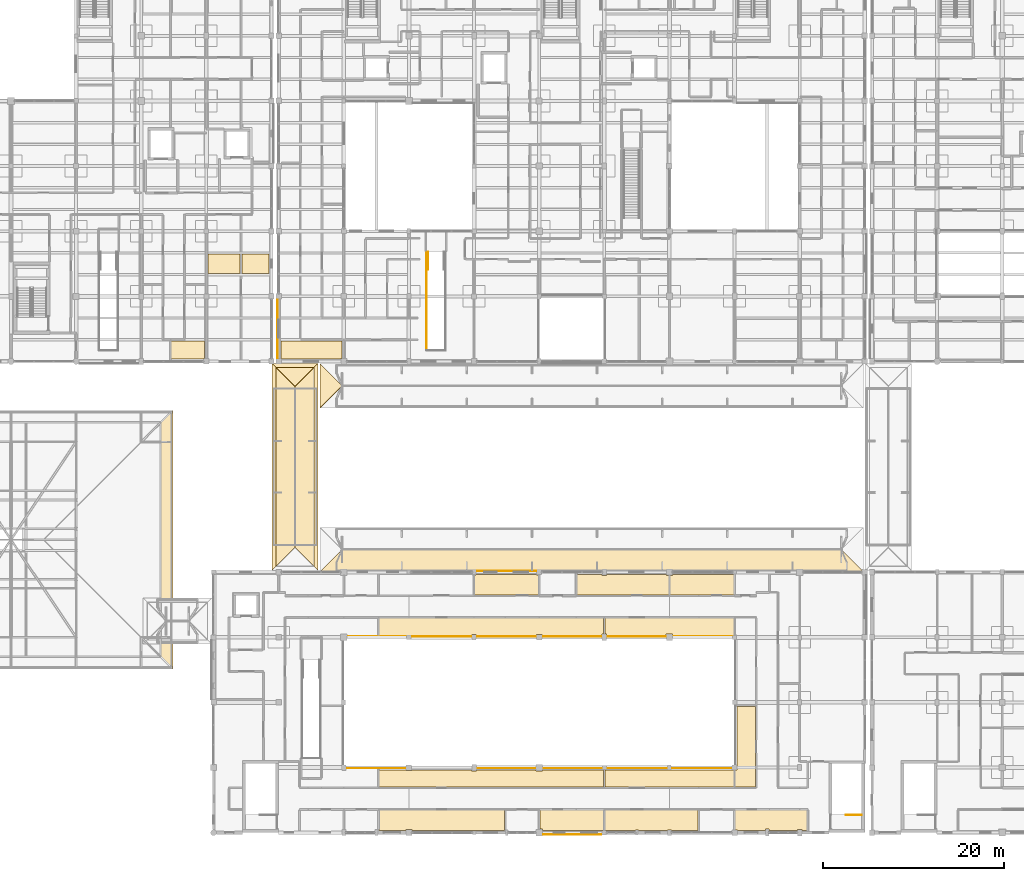
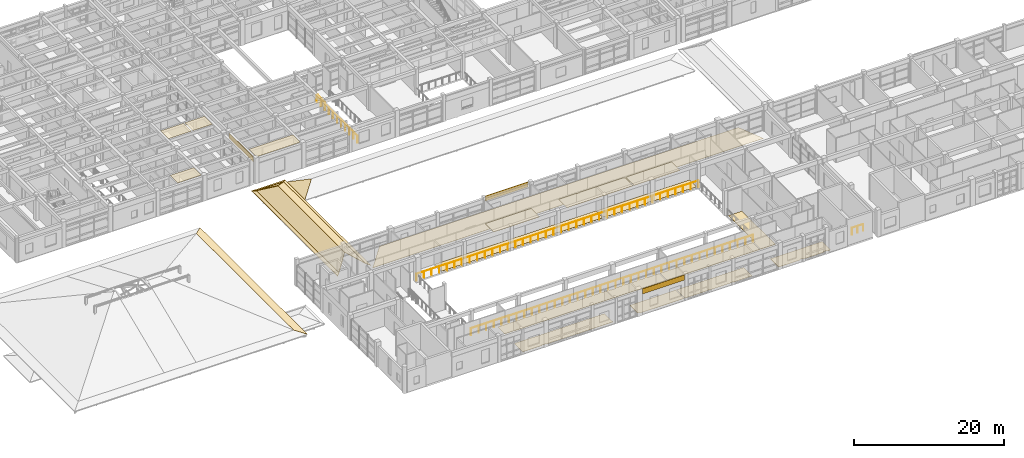
# One storey, part 101 of 110: 28 coverings, 5 railings.
"""IFC4 building model written with IfcOpenShell, lengths in metres."""

from ifc_helpers import new_model, si_unit, direction, frame, origin, origin_2d, place, context, subcontext, project, spatial, polyline, rectangle, circle, outline, extrude, material, layer, layer_set, type_object, element, save


model = new_model("IFC4")

# Units and contexts
model_context = context("Model", 3, precision=1e-05, world=origin(), true_north=direction((0.0, 1.0)))
body_context = subcontext(model_context, "Body", "Model", "MODEL_VIEW")
ifc_project = project(units=[si_unit("LENGTHUNIT", "METRE"), si_unit("AREAUNIT", "SQUARE_METRE"), si_unit("VOLUMEUNIT", "CUBIC_METRE"), si_unit("PLANEANGLEUNIT", "RADIAN"), si_unit("MASSUNIT", "GRAM", prefix="KILO")], contexts=[model_context])

# Site, building, storey
site_placement = place(None, origin())
site = spatial("IfcSite", under=ifc_project, at=site_placement, CompositionType="ELEMENT")
building_placement = place(site_placement, origin())
building = spatial("IfcBuilding", under=site, at=building_placement, Name="Steenspoor Specialist Clinic", CompositionType="ELEMENT")
storey_placement = place(building_placement, frame((0.0, 0.0, 4.800048828125)))
storey = spatial("IfcBuildingStorey", under=building, at=storey_placement, Name="L01", CompositionType="ELEMENT", Elevation=4.800048828125)

# Coverings
ifc_material_1 = material(Name="Washable acoustic mineral ceiling board", Category="gypsum")
ifc_layer_1 = layer(ifc_material_1, 0.02490234375)
ifc_layer_set_1 = layer_set([ifc_layer_1], Name="Washable acoustic mineral ceiling board")
covering_type_1 = type_object("IfcCoveringType", Name="COV-CEIL-ACOUSTIC", PredefinedType="CEILING", material=ifc_layer_set_1)
covering_1_placement = place(storey_placement, frame((0.0, 0.0, 3.925048828125)))
element("IfcCovering", 1, at=covering_1_placement, inside=storey, type_object=covering_type_1, Name="Acoustic Clinical Ceiling 097", PredefinedType="CEILING", context=body_context, shape_type="SweptSolid", body=[
    extrude(outline(polyline([(52.715087890625, 65.409912109375), (52.715087890625, 65.465087890625), (52.659912109375, 65.465087890625), (52.659912109375, 67.409912109375), (59.405029296875, 67.409912109375), (59.405029296875, 65.489990234375), (59.260009765625, 65.489990234375), (59.260009765625, 65.409912109375), (52.715087890625, 65.409912109375)])), origin(), (0.0, 0.0, 1.0), 0.02490234375),
])
covering_2_placement = place(storey_placement, frame((0.0, 0.0, 3.925048828125)))
element("IfcCovering", 2, at=covering_2_placement, inside=storey, type_object=covering_type_1, Name="Acoustic Clinical Ceiling 110", PredefinedType="CEILING", context=body_context, shape_type="SweptSolid", body=[
    extrude(outline(polyline([(40.514892578125, 67.39990234375), (44.179931640625, 67.39990234375), (44.179931640625, 65.465087890625), (44.0849609375, 65.465087890625), (44.0849609375, 65.409912109375), (40.514892578125, 65.409912109375), (40.514892578125, 67.39990234375)])), origin(), (0.0, 0.0, 1.0), 0.02490234375),
])
covering_3_placement = place(storey_placement, frame((0.0, 0.0, 3.925048828125)))
element("IfcCovering", 3, at=covering_3_placement, inside=storey, type_object=covering_type_1, Name="Acoustic Clinical Ceiling 111", PredefinedType="CEILING", context=body_context, shape_type="SweptSolid", body=[
    extrude(outline(polyline([(48.135009765625, 74.89990234375), (44.594970703125, 74.89990234375), (44.594970703125, 77.010009765625), (48.135009765625, 77.010009765625), (48.135009765625, 74.89990234375)])), origin(), (0.0, 0.0, 1.0), 0.02490234375),
])
covering_4_placement = place(storey_placement, frame((0.0, 0.0, 3.925048828125)))
element("IfcCovering", 4, at=covering_4_placement, inside=storey, type_object=covering_type_1, Name="Acoustic Clinical Ceiling 112", PredefinedType="CEILING", context=body_context, shape_type="SweptSolid", body=[
    extrude(outline(polyline([(51.340087890625, 74.89990234375), (48.3349609375, 74.89990234375), (48.3349609375, 77.010009765625), (51.340087890625, 77.010009765625), (51.340087890625, 74.89990234375)])), origin(), (0.0, 0.0, 1.0), 0.02490234375),
])
ifc_material_2 = material(Name="Glazed ceramic relief spandrel cladding", Category="masonry")
ifc_layer_2 = layer(ifc_material_2, 0.034912109375)
ifc_layer_set_2 = layer_set([ifc_layer_2], Name="Glazed ceramic relief spandrel cladding")
covering_type_2 = type_object("IfcCoveringType", Name="COV-CLAD-CERAMIC", PredefinedType="CLADDING", material=ifc_layer_set_2)
covering_5_placement = place(storey_placement, frame((84.862548828125, 12.85009765625, 3.36474609375), z_axis=(0.0, 0.0, 1.0), x_axis=(-1.0, 0.0, 0.0)))
element("IfcCovering", 5, at=covering_5_placement, inside=storey, type_object=covering_type_2, Name="Spandrel Cladding 6", PredefinedType="CLADDING", context=body_context, shape_type="SweptSolid", body=[
    extrude(rectangle(XDim=6.455078125, YDim=0.0400390625, at=origin_2d()), origin(), (0.0, 0.0, 1.0), 0.840087890625),
])
covering_6_placement = place(storey_placement, frame((77.5625, 41.989990234375, 3.36474609375), z_axis=(0.0, 0.0, 1.0), x_axis=(1.0, 0.0, 0.0)))
element("IfcCovering", 6, at=covering_6_placement, inside=storey, type_object=covering_type_2, Name="Spandrel Cladding 8", PredefinedType="CLADDING", context=body_context, shape_type="SweptSolid", body=[
    extrude(rectangle(XDim=6.60498046875, YDim=0.0400390625, at=origin_2d()), origin(), (0.0, 0.0, 1.0), 0.840087890625),
])
covering_7_placement = place(storey_placement, frame((52.260009765625, 68.75, 3.11474609375), z_axis=(0.0, 0.0, 1.0), x_axis=(0.0, 1.0, 0.0)))
element("IfcCovering", 7, at=covering_7_placement, inside=storey, type_object=covering_type_2, Name="Spandrel Cladding 32", PredefinedType="CLADDING", context=body_context, shape_type="SweptSolid", body=[
    extrude(rectangle(XDim=6.47998046875, YDim=0.0400390625, at=origin_2d()), origin(), (0.0, 0.0, 1.0), 0.840087890625),
])
ifc_material_3 = material(Name="Seamless clinical vinyl and terrazzo flooring", Category="plastic")
ifc_layer_3 = layer(ifc_material_3, 0.02001953125)
ifc_layer_set_3 = layer_set([ifc_layer_3], Name="Seamless clinical vinyl and terrazzo flooring")
covering_type_3 = type_object("IfcCoveringType", Name="COV-FLOOR-VINYL", PredefinedType="FLOORING", material=ifc_layer_set_3)
covering_8_placement = place(storey_placement, origin())
element("IfcCovering", 8, at=covering_8_placement, inside=storey, type_object=covering_type_3, Name="Clinical Vinyl Flooring 135", PredefinedType="FLOORING", context=body_context, shape_type="SweptSolid", body=[
    extrude(outline(polyline([(77.385009765625, 13.31005859375), (67.139892578125, 13.31005859375), (67.139892578125, 13.389892578125), (66.4599609375, 13.389892578125), (66.4599609375, 13.31005859375), (63.514892578125, 13.31005859375), (63.514892578125, 15.544921875), (77.385009765625, 15.544921875), (77.385009765625, 13.31005859375)])), origin(), (0.0, 0.0, 1.0), 0.02001953125),
])
covering_9_placement = place(storey_placement, origin())
element("IfcCovering", 9, at=covering_9_placement, inside=storey, type_object=covering_type_3, Name="Clinical Vinyl Flooring 136", PredefinedType="FLOORING", context=body_context, shape_type="SweptSolid", body=[
    extrude(outline(polyline([(88.3349609375, 15.544921875), (88.3349609375, 13.31494140625), (88.135009765625, 13.31494140625), (88.135009765625, 13.31005859375), (81.590087890625, 13.31005859375), (81.590087890625, 13.43994140625), (81.264892578125, 13.43994140625), (81.264892578125, 15.544921875), (88.3349609375, 15.544921875)])), origin(), (0.0, 0.0, 1.0), 0.02001953125),
])
covering_10_placement = place(storey_placement, origin())
element("IfcCovering", 10, at=covering_10_placement, inside=storey, type_object=covering_type_3, Name="Clinical Vinyl Flooring 137", PredefinedType="FLOORING", context=body_context, shape_type="SweptSolid", body=[
    extrude(outline(polyline([(98.784912109375, 15.544921875), (98.784912109375, 13.31005859375), (95.840087890625, 13.31005859375), (95.840087890625, 13.364990234375), (95.360107421875, 13.364990234375), (95.360107421875, 13.31005859375), (92.155029296875, 13.31005859375), (92.155029296875, 13.344970703125), (91.844970703125, 13.344970703125), (91.844970703125, 13.31005859375), (88.6650390625, 13.31005859375), (88.6650390625, 13.31494140625), (88.465087890625, 13.31494140625), (88.465087890625, 15.544921875), (98.784912109375, 15.544921875)])), origin(), (0.0, 0.0, 1.0), 0.02001953125),
])
covering_11_placement = place(storey_placement, origin())
element("IfcCovering", 11, at=covering_11_placement, inside=storey, type_object=covering_type_3, Name="Clinical Vinyl Flooring 138", PredefinedType="FLOORING", context=body_context, shape_type="SweptSolid", body=[
    extrude(outline(polyline([(110.8349609375, 13.31005859375), (110.264892578125, 13.31005859375), (110.264892578125, 13.4150390625), (109.735107421875, 13.4150390625), (109.735107421875, 13.31005859375), (106.60498046875, 13.31005859375), (106.60498046875, 13.445068359375), (106.195068359375, 13.445068359375), (106.195068359375, 13.31005859375), (103.114990234375, 13.31005859375), (103.114990234375, 13.364990234375), (102.864990234375, 13.364990234375), (102.864990234375, 15.544921875), (110.8349609375, 15.544921875), (110.8349609375, 13.31005859375)])), origin(), (0.0, 0.0, 1.0), 0.02001953125),
])
covering_12_placement = place(storey_placement, origin())
element("IfcCovering", 12, at=covering_12_placement, inside=storey, type_object=covering_type_3, Name="Clinical Vinyl Flooring 139", PredefinedType="FLOORING", context=body_context, shape_type="SweptSolid", body=[
    extrude(outline(polyline([(63.514892578125, 18.074951171875), (63.514892578125, 19.985107421875), (66.485107421875, 19.985107421875), (66.485107421875, 19.93505859375), (67.114990234375, 19.93505859375), (67.114990234375, 19.985107421875), (73.735107421875, 19.985107421875), (73.735107421875, 19.885009765625), (74.264892578125, 19.885009765625), (74.264892578125, 19.985107421875), (80.8349609375, 19.985107421875), (80.8349609375, 19.885009765625), (81.56494140625, 19.885009765625), (81.56494140625, 19.985107421875), (88.3349609375, 19.985107421875), (88.3349609375, 18.074951171875), (63.514892578125, 18.074951171875)])), origin(), (0.0, 0.0, 1.0), 0.02001953125),
])
covering_13_placement = place(storey_placement, origin())
element("IfcCovering", 13, at=covering_13_placement, inside=storey, type_object=covering_type_3, Name="Clinical Vinyl Flooring 140", PredefinedType="FLOORING", context=body_context, shape_type="SweptSolid", body=[
    extrude(outline(polyline([(88.465087890625, 18.074951171875), (88.465087890625, 19.985107421875), (95.385009765625, 19.985107421875), (95.385009765625, 19.9599609375), (95.81494140625, 19.9599609375), (95.81494140625, 19.985107421875), (102.510009765625, 19.985107421875), (102.510009765625, 19.9599609375), (102.735107421875, 19.9599609375), (102.735107421875, 18.074951171875), (88.465087890625, 18.074951171875)])), origin(), (0.0, 0.0, 1.0), 0.02001953125),
])
covering_14_placement = place(storey_placement, origin())
element("IfcCovering", 14, at=covering_14_placement, inside=storey, type_object=covering_type_3, Name="Clinical Vinyl Flooring 141", PredefinedType="FLOORING", context=body_context, shape_type="SweptSolid", body=[
    extrude(outline(polyline([(105.135009765625, 27.014892578125), (105.135009765625, 18.074951171875), (102.864990234375, 18.074951171875), (102.864990234375, 19.9599609375), (103.090087890625, 19.9599609375), (103.090087890625, 20.5400390625), (103.06494140625, 20.5400390625), (103.06494140625, 27.014892578125), (105.135009765625, 27.014892578125)])), origin(), (0.0, 0.0, 1.0), 0.02001953125),
])
covering_15_placement = place(storey_placement, origin())
element("IfcCovering", 15, at=covering_15_placement, inside=storey, type_object=covering_type_3, Name="Clinical Vinyl Flooring 146", PredefinedType="FLOORING", context=body_context, shape_type="SweptSolid", body=[
    extrude(outline(polyline([(81.514892578125, 34.9150390625), (81.514892578125, 34.965087890625), (80.885009765625, 34.965087890625), (80.885009765625, 34.9150390625), (74.239990234375, 34.9150390625), (74.239990234375, 34.965087890625), (73.760009765625, 34.965087890625), (73.760009765625, 34.9150390625), (67.06494140625, 34.9150390625), (66.534912109375, 34.9150390625), (63.514892578125, 34.9150390625), (63.514892578125, 36.784912109375), (88.3349609375, 36.784912109375), (88.3349609375, 35.014892578125), (88.135009765625, 35.014892578125), (88.135009765625, 34.9150390625), (81.514892578125, 34.9150390625)])), origin(), (0.0, 0.0, 1.0), 0.02001953125),
])
covering_16_placement = place(storey_placement, origin())
element("IfcCovering", 16, at=covering_16_placement, inside=storey, type_object=covering_type_3, Name="Clinical Vinyl Flooring 147", PredefinedType="FLOORING", context=body_context, shape_type="SweptSolid", body=[
    extrude(outline(polyline([(102.735107421875, 34.9150390625), (95.965087890625, 34.9150390625), (95.965087890625, 35.014892578125), (95.235107421875, 35.014892578125), (95.235107421875, 34.9150390625), (88.6650390625, 34.9150390625), (88.6650390625, 35.014892578125), (88.465087890625, 35.014892578125), (88.465087890625, 36.784912109375), (102.735107421875, 36.784912109375), (102.735107421875, 34.9150390625)])), origin(), (0.0, 0.0, 1.0), 0.02001953125),
])
covering_17_placement = place(storey_placement, origin())
element("IfcCovering", 17, at=covering_17_placement, inside=storey, type_object=covering_type_3, Name="Clinical Vinyl Flooring 150", PredefinedType="FLOORING", context=body_context, shape_type="SweptSolid", body=[
    extrude(outline(polyline([(80.909912109375, 41.590087890625), (80.909912109375, 41.56005859375), (81.135009765625, 41.56005859375), (81.135009765625, 39.31494140625), (74.06494140625, 39.31494140625), (74.06494140625, 41.56005859375), (74.215087890625, 41.56005859375), (74.215087890625, 41.590087890625), (80.909912109375, 41.590087890625)])), origin(), (0.0, 0.0, 1.0), 0.02001953125),
])
covering_18_placement = place(storey_placement, origin())
element("IfcCovering", 18, at=covering_18_placement, inside=storey, type_object=covering_type_3, Name="Clinical Vinyl Flooring 151", PredefinedType="FLOORING", context=body_context, shape_type="SweptSolid", body=[
    extrude(outline(polyline([(88.159912109375, 41.590087890625), (88.159912109375, 41.510009765625), (88.639892578125, 41.510009765625), (88.639892578125, 41.590087890625), (95.260009765625, 41.590087890625), (95.260009765625, 41.510009765625), (95.534912109375, 41.510009765625), (95.534912109375, 39.31494140625), (85.364990234375, 39.31494140625), (85.364990234375, 41.590087890625), (88.159912109375, 41.590087890625)])), origin(), (0.0, 0.0, 1.0), 0.02001953125),
])
covering_19_placement = place(storey_placement, origin())
element("IfcCovering", 19, at=covering_19_placement, inside=storey, type_object=covering_type_3, Name="Clinical Vinyl Flooring 152", PredefinedType="FLOORING", context=body_context, shape_type="SweptSolid", body=[
    extrude(outline(polyline([(102.735107421875, 41.590087890625), (102.735107421875, 39.31494140625), (95.6650390625, 39.31494140625), (95.6650390625, 41.510009765625), (95.93994140625, 41.510009765625), (95.93994140625, 41.590087890625), (102.735107421875, 41.590087890625)])), origin(), (0.0, 0.0, 1.0), 0.02001953125),
])
ifc_material_4 = material(Name="Extruded terracotta clay roof tile", Category="masonry")
ifc_layer_4 = layer(ifc_material_4, 0.044921875)
ifc_layer_set_4 = layer_set([ifc_layer_4], Name="Extruded terracotta clay roof tile")
covering_type_4 = type_object("IfcCoveringType", Name="COV-ROOF-TILE", PredefinedType="ROOFING", material=ifc_layer_set_4)
covering_20_placement = place(storey_placement, frame((40.699951171875, 31.14990234375, 0.0478515625), z_axis=(0.241998799207, 0.0, 0.970276548816), x_axis=(0.0, 1.0, 0.0)))
element("IfcCovering", 20, at=covering_20_placement, inside=storey, type_object=covering_type_4, Name="Clay Tile Roofing V3 SKE", PredefinedType="ROOFING", context=body_context, shape_type="SweptSolid", body=[
    extrude(outline(polyline([(0.0, 0.0), (28.60009765625, 0.0), (27.25, 1.3912049273706915), (1.35009765625, 1.3912049273706915), (0.0, 0.0)])), origin(), (0.0, 0.0, -1.0), 0.044921875),
])
covering_21_placement = place(storey_placement, frame((56.75, 64.949951171875, -0.9521484375), z_axis=(0.0, 0.242164000082, 0.970235330765), x_axis=(-1.0, 0.0, 0.0)))
element("IfcCovering", 21, at=covering_21_placement, inside=storey, type_object=covering_type_4, Name="Clay Tile Roofing WK1 SKN", PredefinedType="ROOFING", context=body_context, shape_type="SweptSolid", body=[
    extrude(outline(polyline([(0.0, 0.0), (5.10009765625, 0.0), (4.64990234375, 0.46375467642511), (0.449951171875, 0.46375467642511), (0.0, 0.0)])), origin(), (0.0, 0.0, -1.0), 0.044921875),
])
covering_22_placement = place(storey_placement, frame((51.64990234375, 64.949951171875, -0.9521484375), z_axis=(-0.242040370173, 0.0, 0.970266179564), x_axis=(0.0, -1.0, 0.0)))
element("IfcCovering", 22, at=covering_22_placement, inside=storey, type_object=covering_type_4, Name="Clay Tile Roofing WK1 SKW", PredefinedType="ROOFING", context=body_context, shape_type="SweptSolid", body=[
    extrude(outline(polyline([(0.0, 0.0), (22.89990234375, 0.0), (22.449951171875, 0.463991554051844), (0.449951171875, 0.463991554051844), (0.0, 0.0)])), origin(), (0.0, 0.0, -1.0), 0.044921875),
])
covering_23_placement = place(storey_placement, frame((56.75, 42.050048828125, -0.9521484375), z_axis=(0.242164000082, 0.0, 0.970235330765), x_axis=(0.0, 1.0, 0.0)))
element("IfcCovering", 23, at=covering_23_placement, inside=storey, type_object=covering_type_4, Name="Clay Tile Roofing WK1 SKE", PredefinedType="ROOFING", context=body_context, shape_type="SweptSolid", body=[
    extrude(outline(polyline([(0.0, 0.0), (22.89990234375, 0.0), (22.449951171875, 0.46375467642511), (0.449951171875, 0.46375467642511), (0.0, 0.0)])), origin(), (0.0, 0.0, -1.0), 0.044921875),
])
covering_24_placement = place(storey_placement, frame((52.10009765625, 64.5, -0.83984375), z_axis=(-0.537338574529, 0.0, 0.843366620351), x_axis=(0.0, -1.0, 0.0)))
element("IfcCovering", 24, at=covering_24_placement, inside=storey, type_object=covering_type_4, Name="Clay Tile Roofing WK1 W", PredefinedType="ROOFING", context=body_context, shape_type="SweptSolid", body=[
    extrude(outline(polyline([(0.0, 0.0), (22.0, 0.0), (19.89990234375, 2.4898466040191236), (2.10009765625, 2.4898466040191236), (0.0, 0.0)])), origin(), (0.0, 0.0, -1.0), 0.044921875),
])
covering_25_placement = place(storey_placement, frame((56.300048828125, 42.5, -0.83984375), z_axis=(0.537294141772, 0.0, 0.84339492838), x_axis=(0.0, 1.0, 0.0)))
element("IfcCovering", 25, at=covering_25_placement, inside=storey, type_object=covering_type_4, Name="Clay Tile Roofing WK1 E", PredefinedType="ROOFING", context=body_context, shape_type="SweptSolid", body=[
    extrude(outline(polyline([(0.0, 0.0), (22.0, 0.0), (19.89990234375, 2.490052507528633), (2.10009765625, 2.490052507528633), (0.0, 0.0)])), origin(), (0.0, 0.0, -1.0), 0.044921875),
])
covering_26_placement = place(storey_placement, frame((56.300048828125, 64.5, -0.83984375), z_axis=(0.0, 0.537294141772, 0.84339492838), x_axis=(-1.0, 0.0, 0.0)))
element("IfcCovering", 26, at=covering_26_placement, inside=storey, type_object=covering_type_4, Name="Clay Tile Roofing WK1 N", PredefinedType="ROOFING", context=body_context, shape_type="SweptSolid", body=[
    extrude(outline(polyline([(0.0, 0.0), (4.199951171875, 0.0), (2.10009765625, 2.490052507528633), (0.0, 0.0)])), origin(), (0.0, 0.0, -1.0), 0.044921875),
])
covering_27_placement = place(storey_placement, frame((56.949951171875, 64.89990234375, -1.35205078125), z_axis=(-0.424884507655, 0.0, 0.905247565672), x_axis=(0.0, -1.0, 0.0)))
element("IfcCovering", 27, at=covering_27_placement, inside=storey, type_object=covering_type_4, Name="Clay Tile Roofing WK4 W", PredefinedType="ROOFING", context=body_context, shape_type="SweptSolid", body=[
    extrude(outline(polyline([(0.0, 0.0), (4.89990234375, 0.0), (2.449951171875, 2.7063880255302326), (0.0, 0.0)])), origin(), (0.0, 0.0, -1.0), 0.044921875),
])
covering_28_placement = place(storey_placement, frame((56.949951171875, 41.89990234375, -1.35205078125), z_axis=(0.0, -0.42484981347, 0.905263848828), x_axis=(1.0, 0.0, 0.0)))
element("IfcCovering", 28, at=covering_28_placement, inside=storey, type_object=covering_type_4, Name="Clay Tile Roofing WK5 S", PredefinedType="ROOFING", context=body_context, shape_type="SweptSolid", body=[
    extrude(outline(polyline([(0.0, 0.0), (60.10009765625, 0.0), (57.650146484375, 2.7066090352244667), (2.449951171875, 2.7066090352244667), (0.0, 0.0)])), origin(), (0.0, 0.0, -1.0), 0.044921875),
])

# Railings
ifc_material_5 = material(Name="Painted architectural steel balustrade", Category="steel")
railing_type = type_object("IfcRailingType", Name="RAIL-GUARD-1100", PredefinedType="GUARDRAIL", material=ifc_material_5)
railing_1_placement = place(storey_placement, frame((116.85009765625, 15.0, 0.0)))
element("IfcRailing", 29, at=railing_1_placement, inside=storey, type_object=railing_type, Name="L01 ST-V1B top well guard 1", PredefinedType="GUARDRAIL", context=body_context, shape_type="SweptSolid", body=[
    extrude(circle(Radius=0.02392578125, at=origin_2d()), frame((0.0, 0.0, 1.076171875), z_axis=(-1.0, 0.0, 0.0), x_axis=(0.0, -1.0, 0.0)), (0.0, 0.0, 1.0), 1.75),
    extrude(circle(Radius=0.02099609375, at=origin_2d()), origin(), (0.0, 0.0, 1.0), 1.052001953125),
    extrude(circle(Radius=0.02099609375, at=origin_2d()), frame((-0.875, 0.0, 0.0)), (0.0, 0.0, 1.0), 1.052001953125),
    extrude(circle(Radius=0.02099609375, at=origin_2d()), frame((-1.75, 0.0, 0.0)), (0.0, 0.0, 1.0), 1.052001953125),
])
railing_2_placement = place(storey_placement, frame((68.7548828125, 77.260009765625, 0.0)))
element("IfcRailing", 30, at=railing_2_placement, inside=storey, type_object=railing_type, Name="ST-F02 Well Guard W", PredefinedType="GUARDRAIL", context=body_context, shape_type="SweptSolid", body=[
    extrude(circle(Radius=0.02392578125, at=origin_2d()), frame((0.0, 0.0, 1.09619140625), z_axis=(0.0, -1.0, 0.0), x_axis=(1.0, 0.0, 0.0)), (0.0, 0.0, 1.0), 10.880126953125),
    extrude(circle(Radius=0.02099609375, at=origin_2d()), origin(), (0.0, 0.0, 1.0), 1.072021484375),
    extrude(circle(Radius=0.02099609375, at=origin_2d()), frame((0.0, -1.087890625, 0.0)), (0.0, 0.0, 1.0), 1.072021484375),
    extrude(circle(Radius=0.02099609375, at=origin_2d()), frame((0.0, -2.176025390625, 0.0)), (0.0, 0.0, 1.0), 1.072021484375),
    extrude(circle(Radius=0.02099609375, at=origin_2d()), frame((0.0, -3.26416015625, 0.0)), (0.0, 0.0, 1.0), 1.072021484375),
    extrude(circle(Radius=0.02099609375, at=origin_2d()), frame((0.0, -4.35205078125, 0.0)), (0.0, 0.0, 1.0), 1.072021484375),
    extrude(circle(Radius=0.02099609375, at=origin_2d()), frame((0.0, -5.43994140625, 0.0)), (0.0, 0.0, 1.0), 1.072021484375),
    extrude(circle(Radius=0.02099609375, at=origin_2d()), frame((0.0, -6.528076171875, 0.0)), (0.0, 0.0, 1.0), 1.072021484375),
    extrude(circle(Radius=0.02099609375, at=origin_2d()), frame((0.0, -7.615966796875, 0.0)), (0.0, 0.0, 1.0), 1.072021484375),
    extrude(circle(Radius=0.02099609375, at=origin_2d()), frame((0.0, -8.7041015625, 0.0)), (0.0, 0.0, 1.0), 1.072021484375),
    extrude(circle(Radius=0.02099609375, at=origin_2d()), frame((0.0, -9.7919921875, 0.0)), (0.0, 0.0, 1.0), 1.072021484375),
    extrude(circle(Radius=0.02099609375, at=origin_2d()), frame((0.0, -10.880126953125, 0.0)), (0.0, 0.0, 1.0), 1.072021484375),
])
railing_3_placement = place(storey_placement, frame((68.9150390625, 75.300048828125, 0.0)))
element("IfcRailing", 31, at=railing_3_placement, inside=storey, type_object=railing_type, Name="ST-F02 Well Guard LW", PredefinedType="GUARDRAIL", context=body_context, shape_type="SweptSolid", body=[
    extrude(circle(Radius=0.02392578125, at=origin_2d()), frame((0.0, 0.0, 1.09619140625), z_axis=(0.0, 1.0, 0.0), x_axis=(-1.0, 0.0, 0.0)), (0.0, 0.0, 1.0), 1.9599609375),
    extrude(circle(Radius=0.02099609375, at=origin_2d()), origin(), (0.0, 0.0, 1.0), 1.072021484375),
    extrude(circle(Radius=0.02099609375, at=origin_2d()), frame((0.0, 0.97998046875, 0.0)), (0.0, 0.0, 1.0), 1.072021484375),
    extrude(circle(Radius=0.02099609375, at=origin_2d()), frame((0.0, 1.9599609375, 0.0)), (0.0, 0.0, 1.0), 1.072021484375),
])
railing_4_placement = place(storey_placement, frame((59.52001953125, 20.169921875, 0.0)))
element("IfcRailing", 32, at=railing_4_placement, inside=storey, type_object=railing_type, Name="Atrium Gallery Guard V1 L01 1", PredefinedType="GUARDRAIL", context=body_context, shape_type="SweptSolid", body=[
    extrude(circle(Radius=0.02392578125, at=origin_2d()), frame((0.0, 0.0, 1.09619140625), z_axis=(1.0, 0.0, 0.0), x_axis=(0.0, 1.0, 0.0)), (0.0, 0.0, 1.0), 43.35986328125),
    extrude(circle(Radius=0.02099609375, at=origin_2d()), origin(), (0.0, 0.0, 1.0), 1.072021484375),
    extrude(circle(Radius=0.02099609375, at=origin_2d()), frame((1.171875, 0.0, 0.0)), (0.0, 0.0, 1.0), 1.072021484375),
    extrude(circle(Radius=0.02099609375, at=origin_2d()), frame((2.34375, 0.0, 0.0)), (0.0, 0.0, 1.0), 1.072021484375),
    extrude(circle(Radius=0.02099609375, at=origin_2d()), frame((3.515625, 0.0, 0.0)), (0.0, 0.0, 1.0), 1.072021484375),
    extrude(circle(Radius=0.02099609375, at=origin_2d()), frame((4.6875, 0.0, 0.0)), (0.0, 0.0, 1.0), 1.072021484375),
    extrude(circle(Radius=0.02099609375, at=origin_2d()), frame((5.859375, 0.0, 0.0)), (0.0, 0.0, 1.0), 1.072021484375),
    extrude(circle(Radius=0.02099609375, at=origin_2d()), frame((7.03125, 0.0, 0.0)), (0.0, 0.0, 1.0), 1.072021484375),
    extrude(circle(Radius=0.02099609375, at=origin_2d()), frame((8.203125, 0.0, 0.0)), (0.0, 0.0, 1.0), 1.072021484375),
    extrude(circle(Radius=0.02099609375, at=origin_2d()), frame((9.375, 0.0, 0.0)), (0.0, 0.0, 1.0), 1.072021484375),
    extrude(circle(Radius=0.02099609375, at=origin_2d()), frame((10.546875, 0.0, 0.0)), (0.0, 0.0, 1.0), 1.072021484375),
    extrude(circle(Radius=0.02099609375, at=origin_2d()), frame((11.718994140625, 0.0, 0.0)), (0.0, 0.0, 1.0), 1.072021484375),
    extrude(circle(Radius=0.02099609375, at=origin_2d()), frame((12.890869140625, 0.0, 0.0)), (0.0, 0.0, 1.0), 1.072021484375),
    extrude(circle(Radius=0.02099609375, at=origin_2d()), frame((14.062744140625, 0.0, 0.0)), (0.0, 0.0, 1.0), 1.072021484375),
    extrude(circle(Radius=0.02099609375, at=origin_2d()), frame((15.234619140625, 0.0, 0.0)), (0.0, 0.0, 1.0), 1.072021484375),
    extrude(circle(Radius=0.02099609375, at=origin_2d()), frame((16.406494140625, 0.0, 0.0)), (0.0, 0.0, 1.0), 1.072021484375),
    extrude(circle(Radius=0.02099609375, at=origin_2d()), frame((17.578369140625, 0.0, 0.0)), (0.0, 0.0, 1.0), 1.072021484375),
    extrude(circle(Radius=0.02099609375, at=origin_2d()), frame((18.750244140625, 0.0, 0.0)), (0.0, 0.0, 1.0), 1.072021484375),
    extrude(circle(Radius=0.02099609375, at=origin_2d()), frame((19.922119140625, 0.0, 0.0)), (0.0, 0.0, 1.0), 1.072021484375),
    extrude(circle(Radius=0.02099609375, at=origin_2d()), frame((21.093994140625, 0.0, 0.0)), (0.0, 0.0, 1.0), 1.072021484375),
    extrude(circle(Radius=0.02099609375, at=origin_2d()), frame((22.265869140625, 0.0, 0.0)), (0.0, 0.0, 1.0), 1.072021484375),
    extrude(circle(Radius=0.02099609375, at=origin_2d()), frame((23.437744140625, 0.0, 0.0)), (0.0, 0.0, 1.0), 1.072021484375),
    extrude(circle(Radius=0.02099609375, at=origin_2d()), frame((24.609619140625, 0.0, 0.0)), (0.0, 0.0, 1.0), 1.072021484375),
    extrude(circle(Radius=0.02099609375, at=origin_2d()), frame((25.781494140625, 0.0, 0.0)), (0.0, 0.0, 1.0), 1.072021484375),
    extrude(circle(Radius=0.02099609375, at=origin_2d()), frame((26.953369140625, 0.0, 0.0)), (0.0, 0.0, 1.0), 1.072021484375),
    extrude(circle(Radius=0.02099609375, at=origin_2d()), frame((28.125244140625, 0.0, 0.0)), (0.0, 0.0, 1.0), 1.072021484375),
    extrude(circle(Radius=0.02099609375, at=origin_2d()), frame((29.297119140625, 0.0, 0.0)), (0.0, 0.0, 1.0), 1.072021484375),
    extrude(circle(Radius=0.02099609375, at=origin_2d()), frame((30.468994140625, 0.0, 0.0)), (0.0, 0.0, 1.0), 1.072021484375),
    extrude(circle(Radius=0.02099609375, at=origin_2d()), frame((31.640869140625, 0.0, 0.0)), (0.0, 0.0, 1.0), 1.072021484375),
    extrude(circle(Radius=0.02099609375, at=origin_2d()), frame((32.81298828125, 0.0, 0.0)), (0.0, 0.0, 1.0), 1.072021484375),
    extrude(circle(Radius=0.02099609375, at=origin_2d()), frame((33.98486328125, 0.0, 0.0)), (0.0, 0.0, 1.0), 1.072021484375),
    extrude(circle(Radius=0.02099609375, at=origin_2d()), frame((35.15673828125, 0.0, 0.0)), (0.0, 0.0, 1.0), 1.072021484375),
    extrude(circle(Radius=0.02099609375, at=origin_2d()), frame((36.32861328125, 0.0, 0.0)), (0.0, 0.0, 1.0), 1.072021484375),
    extrude(circle(Radius=0.02099609375, at=origin_2d()), frame((37.50048828125, 0.0, 0.0)), (0.0, 0.0, 1.0), 1.072021484375),
    extrude(circle(Radius=0.02099609375, at=origin_2d()), frame((38.67236328125, 0.0, 0.0)), (0.0, 0.0, 1.0), 1.072021484375),
    extrude(circle(Radius=0.02099609375, at=origin_2d()), frame((39.84423828125, 0.0, 0.0)), (0.0, 0.0, 1.0), 1.072021484375),
    extrude(circle(Radius=0.02099609375, at=origin_2d()), frame((41.01611328125, 0.0, 0.0)), (0.0, 0.0, 1.0), 1.072021484375),
    extrude(circle(Radius=0.02099609375, at=origin_2d()), frame((42.18798828125, 0.0, 0.0)), (0.0, 0.0, 1.0), 1.072021484375),
    extrude(circle(Radius=0.02099609375, at=origin_2d()), frame((43.35986328125, 0.0, 0.0)), (0.0, 0.0, 1.0), 1.072021484375),
])
railing_5_placement = place(storey_placement, frame((102.8798828125, 34.72998046875, 0.0)))
element("IfcRailing", 33, at=railing_5_placement, inside=storey, type_object=railing_type, Name="Atrium Gallery Guard V1 L01 3", PredefinedType="GUARDRAIL", context=body_context, shape_type="SweptSolid", body=[
    extrude(circle(Radius=0.02392578125, at=origin_2d()), frame((0.0, 0.0, 1.09619140625), z_axis=(-1.0, 0.0, 0.0), x_axis=(0.0, -1.0, 0.0)), (0.0, 0.0, 1.0), 43.35986328125),
    extrude(circle(Radius=0.02099609375, at=origin_2d()), origin(), (0.0, 0.0, 1.0), 1.072021484375),
    extrude(circle(Radius=0.02099609375, at=origin_2d()), frame((-1.171875, 0.0, 0.0)), (0.0, 0.0, 1.0), 1.072021484375),
    extrude(circle(Radius=0.02099609375, at=origin_2d()), frame((-2.34375, 0.0, 0.0)), (0.0, 0.0, 1.0), 1.072021484375),
    extrude(circle(Radius=0.02099609375, at=origin_2d()), frame((-3.515625, 0.0, 0.0)), (0.0, 0.0, 1.0), 1.072021484375),
    extrude(circle(Radius=0.02099609375, at=origin_2d()), frame((-4.6875, 0.0, 0.0)), (0.0, 0.0, 1.0), 1.072021484375),
    extrude(circle(Radius=0.02099609375, at=origin_2d()), frame((-5.859375, 0.0, 0.0)), (0.0, 0.0, 1.0), 1.072021484375),
    extrude(circle(Radius=0.02099609375, at=origin_2d()), frame((-7.03125, 0.0, 0.0)), (0.0, 0.0, 1.0), 1.072021484375),
    extrude(circle(Radius=0.02099609375, at=origin_2d()), frame((-8.203125, 0.0, 0.0)), (0.0, 0.0, 1.0), 1.072021484375),
    extrude(circle(Radius=0.02099609375, at=origin_2d()), frame((-9.375, 0.0, 0.0)), (0.0, 0.0, 1.0), 1.072021484375),
    extrude(circle(Radius=0.02099609375, at=origin_2d()), frame((-10.546875, 0.0, 0.0)), (0.0, 0.0, 1.0), 1.072021484375),
    extrude(circle(Radius=0.02099609375, at=origin_2d()), frame((-11.718994140625, 0.0, 0.0)), (0.0, 0.0, 1.0), 1.072021484375),
    extrude(circle(Radius=0.02099609375, at=origin_2d()), frame((-12.890869140625, 0.0, 0.0)), (0.0, 0.0, 1.0), 1.072021484375),
    extrude(circle(Radius=0.02099609375, at=origin_2d()), frame((-14.062744140625, 0.0, 0.0)), (0.0, 0.0, 1.0), 1.072021484375),
    extrude(circle(Radius=0.02099609375, at=origin_2d()), frame((-15.234619140625, 0.0, 0.0)), (0.0, 0.0, 1.0), 1.072021484375),
    extrude(circle(Radius=0.02099609375, at=origin_2d()), frame((-16.406494140625, 0.0, 0.0)), (0.0, 0.0, 1.0), 1.072021484375),
    extrude(circle(Radius=0.02099609375, at=origin_2d()), frame((-17.578369140625, 0.0, 0.0)), (0.0, 0.0, 1.0), 1.072021484375),
    extrude(circle(Radius=0.02099609375, at=origin_2d()), frame((-18.750244140625, 0.0, 0.0)), (0.0, 0.0, 1.0), 1.072021484375),
    extrude(circle(Radius=0.02099609375, at=origin_2d()), frame((-19.922119140625, 0.0, 0.0)), (0.0, 0.0, 1.0), 1.072021484375),
    extrude(circle(Radius=0.02099609375, at=origin_2d()), frame((-21.093994140625, 0.0, 0.0)), (0.0, 0.0, 1.0), 1.072021484375),
    extrude(circle(Radius=0.02099609375, at=origin_2d()), frame((-22.265869140625, 0.0, 0.0)), (0.0, 0.0, 1.0), 1.072021484375),
    extrude(circle(Radius=0.02099609375, at=origin_2d()), frame((-23.437744140625, 0.0, 0.0)), (0.0, 0.0, 1.0), 1.072021484375),
    extrude(circle(Radius=0.02099609375, at=origin_2d()), frame((-24.609619140625, 0.0, 0.0)), (0.0, 0.0, 1.0), 1.072021484375),
    extrude(circle(Radius=0.02099609375, at=origin_2d()), frame((-25.781494140625, 0.0, 0.0)), (0.0, 0.0, 1.0), 1.072021484375),
    extrude(circle(Radius=0.02099609375, at=origin_2d()), frame((-26.953369140625, 0.0, 0.0)), (0.0, 0.0, 1.0), 1.072021484375),
    extrude(circle(Radius=0.02099609375, at=origin_2d()), frame((-28.125244140625, 0.0, 0.0)), (0.0, 0.0, 1.0), 1.072021484375),
    extrude(circle(Radius=0.02099609375, at=origin_2d()), frame((-29.297119140625, 0.0, 0.0)), (0.0, 0.0, 1.0), 1.072021484375),
    extrude(circle(Radius=0.02099609375, at=origin_2d()), frame((-30.468994140625, 0.0, 0.0)), (0.0, 0.0, 1.0), 1.072021484375),
    extrude(circle(Radius=0.02099609375, at=origin_2d()), frame((-31.640869140625, 0.0, 0.0)), (0.0, 0.0, 1.0), 1.072021484375),
    extrude(circle(Radius=0.02099609375, at=origin_2d()), frame((-32.81298828125, 0.0, 0.0)), (0.0, 0.0, 1.0), 1.072021484375),
    extrude(circle(Radius=0.02099609375, at=origin_2d()), frame((-33.98486328125, 0.0, 0.0)), (0.0, 0.0, 1.0), 1.072021484375),
    extrude(circle(Radius=0.02099609375, at=origin_2d()), frame((-35.15673828125, 0.0, 0.0)), (0.0, 0.0, 1.0), 1.072021484375),
    extrude(circle(Radius=0.02099609375, at=origin_2d()), frame((-36.32861328125, 0.0, 0.0)), (0.0, 0.0, 1.0), 1.072021484375),
    extrude(circle(Radius=0.02099609375, at=origin_2d()), frame((-37.50048828125, 0.0, 0.0)), (0.0, 0.0, 1.0), 1.072021484375),
    extrude(circle(Radius=0.02099609375, at=origin_2d()), frame((-38.67236328125, 0.0, 0.0)), (0.0, 0.0, 1.0), 1.072021484375),
    extrude(circle(Radius=0.02099609375, at=origin_2d()), frame((-39.84423828125, 0.0, 0.0)), (0.0, 0.0, 1.0), 1.072021484375),
    extrude(circle(Radius=0.02099609375, at=origin_2d()), frame((-41.01611328125, 0.0, 0.0)), (0.0, 0.0, 1.0), 1.072021484375),
    extrude(circle(Radius=0.02099609375, at=origin_2d()), frame((-42.18798828125, 0.0, 0.0)), (0.0, 0.0, 1.0), 1.072021484375),
    extrude(circle(Radius=0.02099609375, at=origin_2d()), frame((-43.35986328125, 0.0, 0.0)), (0.0, 0.0, 1.0), 1.072021484375),
])

save(model, "model.ifc")
